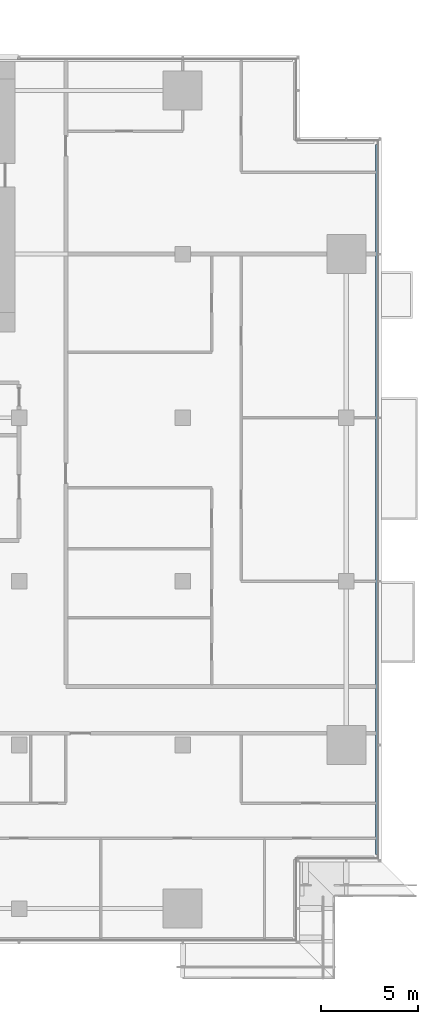
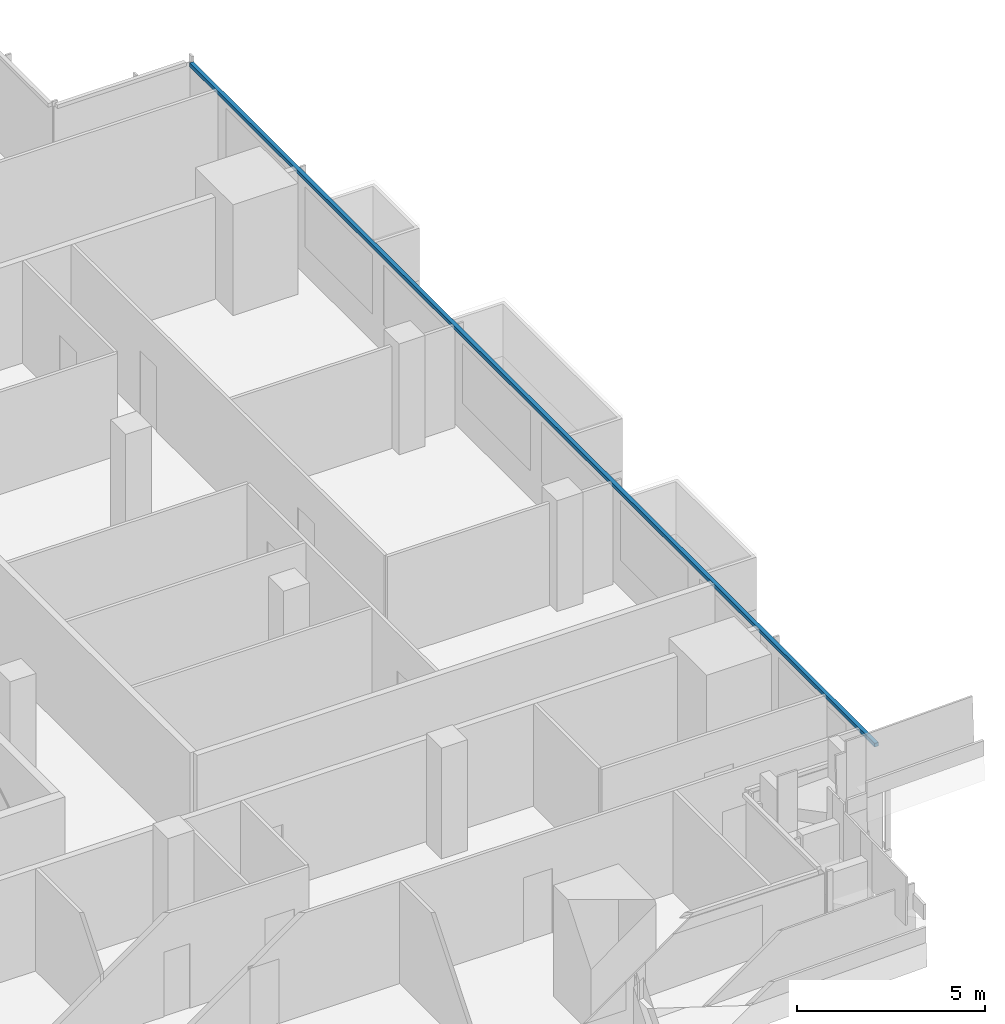
# One storey, part 12 of 29: 1 member, 1 element without a shape of its own.
"""IFC4 building model written with IfcOpenShell, lengths in metres."""

from ifc_helpers import new_model, si_unit, direction, frame, origin, origin_2d, place, context, subcontext, project, spatial, rectangle, extrude, material, material_profile, profile_set, type_object, element, aggregate, save


model = new_model("IFC4")

# Units and contexts
model_context = context("Model", 3, precision=1e-05, world=origin(), true_north=direction((0.0, 1.0)))
body_context = subcontext(model_context, "Body", "Model", "MODEL_VIEW")
ifc_project = project(units=[si_unit("LENGTHUNIT", "METRE"), si_unit("AREAUNIT", "SQUARE_METRE"), si_unit("VOLUMEUNIT", "CUBIC_METRE"), si_unit("PLANEANGLEUNIT", "RADIAN"), si_unit("MASSUNIT", "GRAM", prefix="KILO")], contexts=[model_context])

# Site, building, storey
site_placement = place(None, origin())
site = spatial("IfcSite", under=ifc_project, at=site_placement, CompositionType="ELEMENT")
building_placement = place(site_placement, origin())
building = spatial("IfcBuilding", under=site, at=building_placement, Name="Saffron Gate Tower", CompositionType="ELEMENT")
storey_placement = place(building_placement, frame((0.0, 0.0, 106.050048828125)))
storey = spatial("IfcBuildingStorey", under=building, at=storey_placement, Name="L24", CompositionType="ELEMENT", Elevation=106.050048828125)

# Curtain wall, member
ifc_material = material(Name="Aluminium, bronze anodised", Category="aluminium")
curtain_wall_type = type_object("IfcCurtainWallType", Name="CWS2 curtain wall side facades", PredefinedType="NOTDEFINED", material=ifc_material)
curtain_wall_placement = place(storey_placement, origin())
curtain_wall = element("IfcCurtainWall", 1, at=curtain_wall_placement, inside=storey, type_object=curtain_wall_type, Name="CWS2 run 4", PredefinedType="NOTDEFINED")
ifc_material_profile = material_profile(ifc_material, rectangle(XDim=0.1201171875, YDim=0.1201171875, at=origin_2d()))
ifc_profile_set = profile_set([ifc_material_profile], Name="Aluminium, bronze anodised")
member_type = type_object("IfcMemberType", Name="CWS2 head transom", PredefinedType="USERDEFINED", material=ifc_profile_set)
member_placement = place(storey_placement, frame((126.951904296875, 34.568115234375, 3.260009765625), z_axis=(0.0, 1.0, 0.0), x_axis=(-1.0, 0.0, 0.0)))
member = element("IfcMember", 2, at=member_placement, type_object=member_type, Name="CWS2 head transom", ObjectType="TRANSOM", PredefinedType="USERDEFINED", context=body_context, shape_type="SweptSolid", body=[
    extrude(rectangle(XDim=0.1201171875, YDim=0.1201171875, at=origin_2d()), origin(), (0.0, 0.0, 1.0), 36.4638671875),
])
aggregate(curtain_wall, [member])

save(model, "model.ifc")
